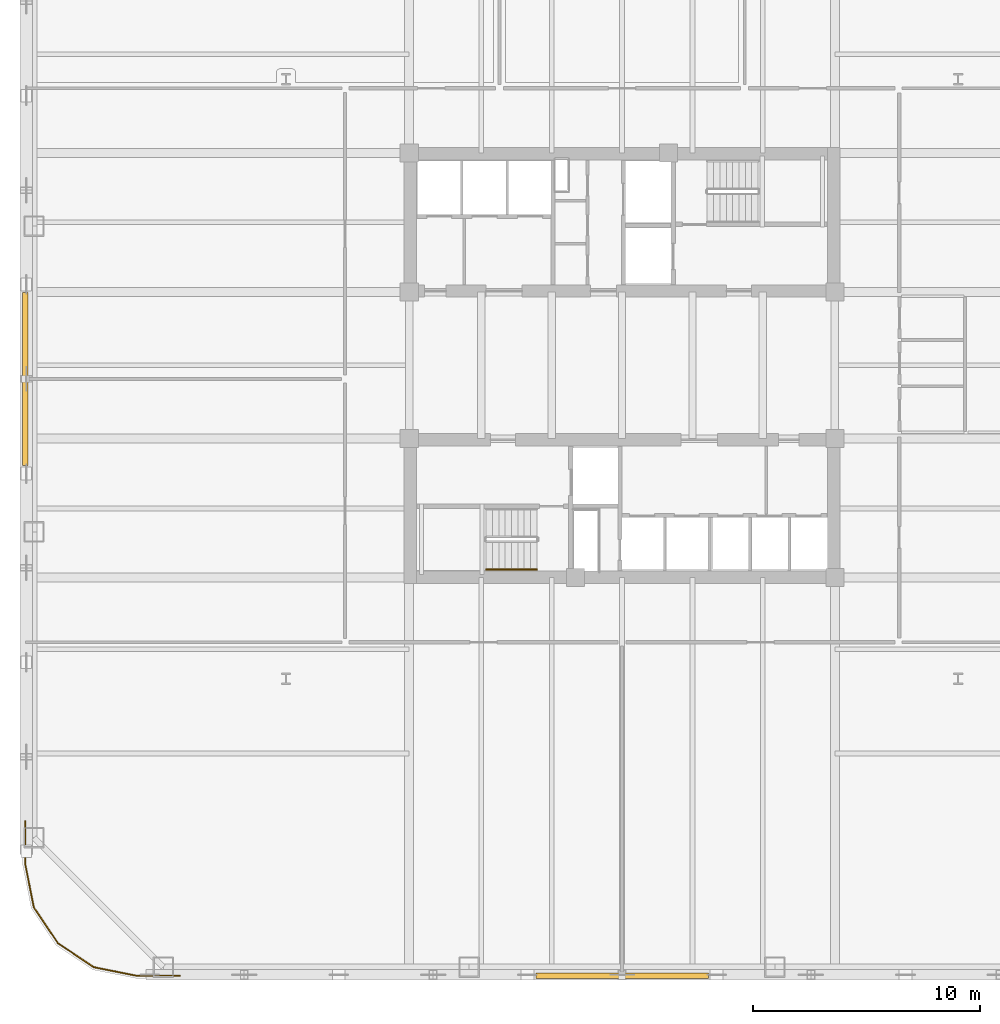
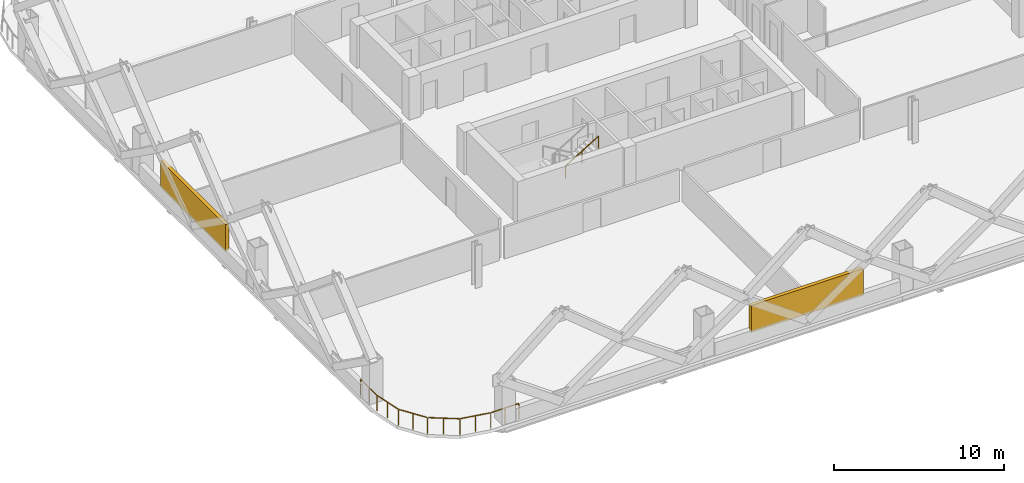
# One storey, part 7 of 12: 2 railings, 2 shading devices.
"""IFC4 building model written with IfcOpenShell, lengths in metres."""

from ifc_helpers import new_model, si_unit, direction, frame, origin, origin_2d, place, context, subcontext, project, spatial, rectangle, extrude, material, type_object, element, save


model = new_model("IFC4")

# Units and contexts
model_context = context("Model", 3, precision=1e-05, world=origin(), true_north=direction((0.0, 1.0)))
body_context = subcontext(model_context, "Body", "Model", "MODEL_VIEW")
ifc_project = project(units=[si_unit("LENGTHUNIT", "METRE"), si_unit("AREAUNIT", "SQUARE_METRE"), si_unit("VOLUMEUNIT", "CUBIC_METRE"), si_unit("PLANEANGLEUNIT", "RADIAN"), si_unit("MASSUNIT", "GRAM", prefix="KILO")], contexts=[model_context])

# Site, building, storey
site_placement = place(None, origin())
site = spatial("IfcSite", under=ifc_project, at=site_placement, CompositionType="ELEMENT")
building_placement = place(site_placement, origin())
building = spatial("IfcBuilding", under=site, at=building_placement, Name="Qhalaya Broadcast Tower", CompositionType="ELEMENT")
storey_placement = place(building_placement, frame((0.0, 0.0, 50.5)))
storey = spatial("IfcBuildingStorey", under=building, at=storey_placement, Name="L14", CompositionType="ELEMENT", Elevation=50.5)

# Railings
ifc_material_1 = material(Name="Powder-Coated Galvanised Steel", Category="steel")
railing_type_1 = type_object("IfcRailingType", Name="Stair Wall Handrail 900", PredefinedType="HANDRAIL", material=ifc_material_1)
railing_1_placement = place(storey_placement, frame((-5.989990234375, -8.389892578125, 1.6943359375)))
element("IfcRailing", 1, at=railing_1_placement, inside=storey, type_object=railing_type_1, Name="L14 ST-2 Stair Handrail 2", PredefinedType="HANDRAIL", context=body_context, shape_type="SweptSolid", body=[
    extrude(rectangle(XDim=0.048095703125, YDim=0.048095703125, at=origin_2d()), frame((0.0, 0.0, 0.8759765625), z_axis=(0.855512035549, 0.0, 0.517782924622), x_axis=(0.0, 1.0, 0.0)), (0.0, 0.0, 1.0), 2.618408203125),
    extrude(rectangle(XDim=0.0419921875, YDim=0.0419921875, at=origin_2d()), origin(), (0.0, 0.0, 1.0), 0.849853515625),
    extrude(rectangle(XDim=0.0419921875, YDim=0.0419921875, at=origin_2d()), frame((1.1201171875, 0.0, 0.677734375)), (0.0, 0.0, 1.0), 0.849853515625),
    extrude(rectangle(XDim=0.0419921875, YDim=0.0419921875, at=origin_2d()), frame((2.239990234375, 0.0, 1.355712890625)), (0.0, 0.0, 1.0), 0.849853515625),
])
railing_type_2 = type_object("IfcRailingType", Name="Terrace, Sky-Pool & Lookout Glass Balustrade 1150", PredefinedType="BALUSTRADE", material=ifc_material_1)
railing_2_placement = place(storey_placement, frame((-19.48193359375, -26.280029296875, 0.0)))
element("IfcRailing", 2, at=railing_2_placement, inside=storey, type_object=railing_type_2, Name="L14 Rounded Corner Perimeter Guard 02", PredefinedType="BALUSTRADE", context=body_context, shape_type="SweptSolid", body=[
    extrude(rectangle(XDim=0.048095703125, YDim=0.048095703125, at=origin_2d()), frame((0.0, 0.0, 1.1259765625), z_axis=(-1.0, 0.0, 0.0), x_axis=(0.0, -1.0, 0.0)), (0.0, 0.0, 1.0), 1.87744140625),
    extrude(rectangle(XDim=0.048095703125, YDim=0.048095703125, at=origin_2d()), frame((-1.9345703125, 0.005615234375, 1.1259765625), z_axis=(-0.980795810058, 0.195037378397, 0.0), x_axis=(-0.195037378397, -0.980795810058, 0.0)), (0.0, 0.0, 1.0), 1.857421875),
    extrude(rectangle(XDim=0.048095703125, YDim=0.048095703125, at=origin_2d()), frame((-3.80859375, 0.3896484375, 1.1259765625), z_axis=(-0.831477548332, 0.555558355728, 0.0), x_axis=(-0.555558355728, -0.831477548332, 0.0)), (0.0, 0.0, 1.0), 1.845458984375),
    extrude(rectangle(XDim=0.048095703125, YDim=0.048095703125, at=origin_2d()), frame((-5.38330078125, 1.454833984375, 1.1259765625), z_axis=(-0.555558355728, 0.831477548332, 0.0), x_axis=(-0.831477548332, -0.555558355728, 0.0)), (0.0, 0.0, 1.0), 1.845458984375),
    extrude(rectangle(XDim=0.048095703125, YDim=0.048095703125, at=origin_2d()), frame((-6.43017578125, 3.041748046875, 1.1259765625), z_axis=(-0.195037378397, 0.980795810058, 0.0), x_axis=(-0.980795810058, -0.195037378397, 0.0)), (0.0, 0.0, 1.0), 1.857421875),
    extrude(rectangle(XDim=0.048095703125, YDim=0.048095703125, at=origin_2d()), frame((-6.798095703125, 4.920654296875, 1.1259765625), z_axis=(0.0, 1.0, 0.0), x_axis=(-1.0, 0.0, 0.0)), (0.0, 0.0, 1.0), 1.87744140625),
    extrude(rectangle(XDim=0.0419921875, YDim=0.0419921875, at=origin_2d()), origin(), (0.0, 0.0, 1.0), 1.099853515625),
    extrude(rectangle(XDim=0.0419921875, YDim=0.0419921875, at=origin_2d()), frame((-0.953125, 0.0, 0.0)), (0.0, 0.0, 1.0), 1.099853515625),
    extrude(rectangle(XDim=0.0419921875, YDim=0.0419921875, at=origin_2d()), frame((-1.90625, 0.0, 0.0)), (0.0, 0.0, 1.0), 1.099853515625),
    extrude(rectangle(XDim=0.0419921875, YDim=0.0419921875, at=origin_2d()), frame((-2.845458984375, 0.186767578125, 0.0)), (0.0, 0.0, 1.0), 1.099853515625),
    extrude(rectangle(XDim=0.0419921875, YDim=0.0419921875, at=origin_2d()), frame((-3.78466796875, 0.37353515625, 0.0)), (0.0, 0.0, 1.0), 1.099853515625),
    extrude(rectangle(XDim=0.0419921875, YDim=0.0419921875, at=origin_2d()), frame((-4.575927734375, 0.90234375, 0.0)), (0.0, 0.0, 1.0), 1.099853515625),
    extrude(rectangle(XDim=0.0419921875, YDim=0.0419921875, at=origin_2d()), frame((-5.3671875, 1.430908203125, 0.0)), (0.0, 0.0, 1.0), 1.099853515625),
    extrude(rectangle(XDim=0.0419921875, YDim=0.0419921875, at=origin_2d()), frame((-5.89599609375, 2.22216796875, 0.0)), (0.0, 0.0, 1.0), 1.099853515625),
    extrude(rectangle(XDim=0.0419921875, YDim=0.0419921875, at=origin_2d()), frame((-6.424560546875, 3.013427734375, 0.0)), (0.0, 0.0, 1.0), 1.099853515625),
    extrude(rectangle(XDim=0.0419921875, YDim=0.0419921875, at=origin_2d()), frame((-6.611328125, 3.95263671875, 0.0)), (0.0, 0.0, 1.0), 1.099853515625),
    extrude(rectangle(XDim=0.0419921875, YDim=0.0419921875, at=origin_2d()), frame((-6.798095703125, 4.891845703125, 0.0)), (0.0, 0.0, 1.0), 1.099853515625),
    extrude(rectangle(XDim=0.0419921875, YDim=0.0419921875, at=origin_2d()), frame((-6.798095703125, 5.844970703125, 0.0)), (0.0, 0.0, 1.0), 1.099853515625),
    extrude(rectangle(XDim=0.0419921875, YDim=0.0419921875, at=origin_2d()), frame((-6.798095703125, 6.798095703125, 0.0)), (0.0, 0.0, 1.0), 1.099853515625),
])

# Shading devices
ifc_material_2 = material(Name="Fired Architectural Terracotta", Category="masonry")
shading_device_type = type_object("IfcShadingDeviceType", Name="Terracotta Baguette Solar Screen Assembly TBS-01", PredefinedType="USERDEFINED", material=ifc_material_2)
for number, where, z_axis, x_axis, name in (
    (3, (0.0, -26.280029296875, 0.79248046875), (0.0, 0.0, 1.0), (1.0, 0.0, 0.0), "L14 Fired Terracotta Baguette Screen S"),
    (4, (-26.280029296875, 0.0, 0.79248046875), (0.0, 0.0, 1.0), (0.0, -1.0, 0.0), "L14 Fired Terracotta Baguette Screen W"),
):
    element("IfcShadingDevice", number, at=place(storey_placement, frame(where, z_axis=z_axis, x_axis=x_axis)), inside=storey, type_object=shading_device_type, Name=name, ObjectType="BAGUETTE", PredefinedType="USERDEFINED", context=body_context, shape_type="SweptSolid", body=[
        extrude(rectangle(XDim=7.60009765625, YDim=0.239990234375, at=origin_2d()), origin(), (0.0, 0.0, 1.0), 1.924072265625),
    ])

save(model, "model.ifc")
